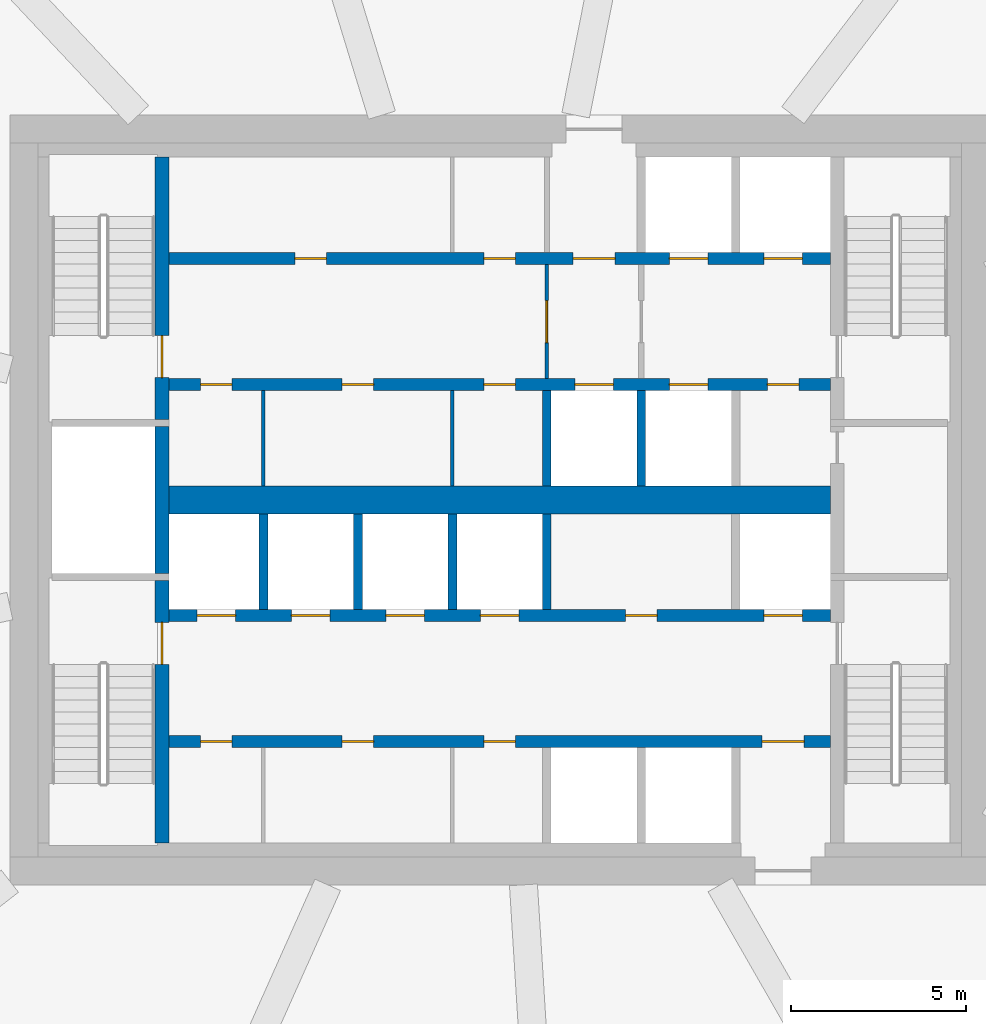
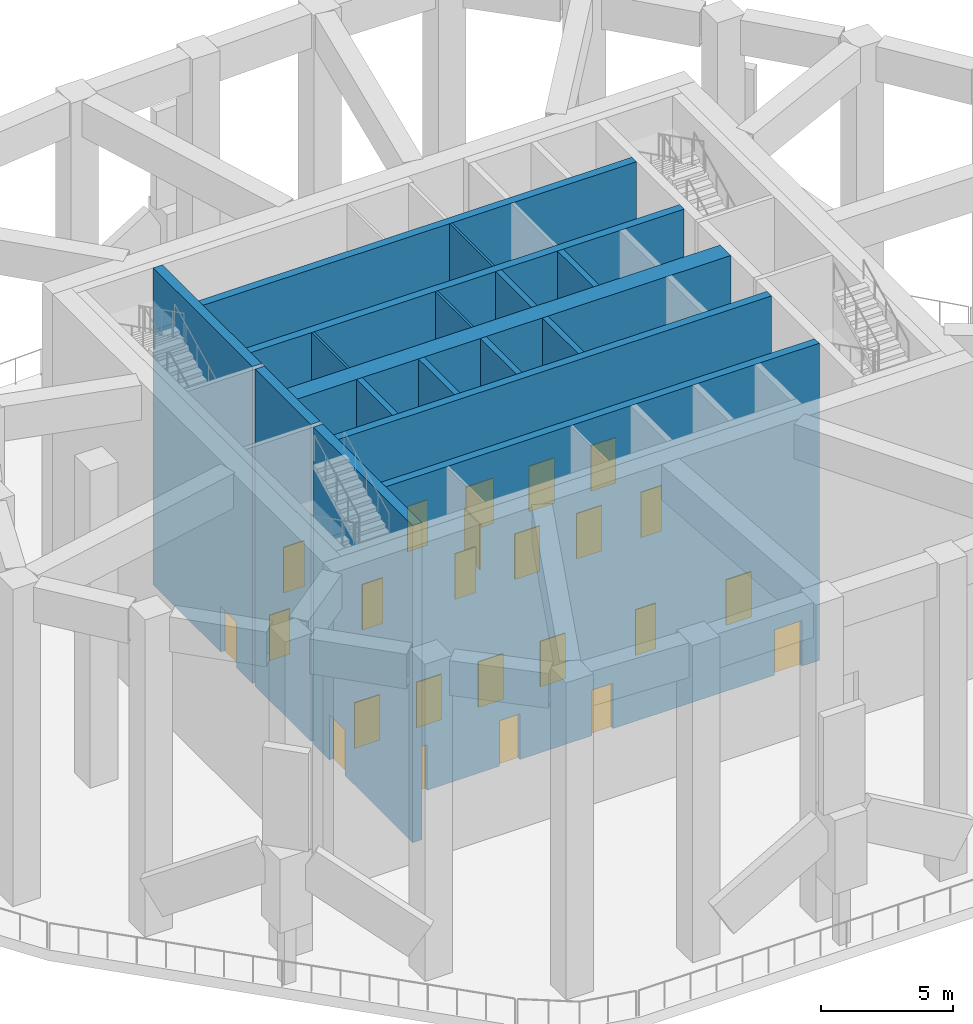
# One storey, part 3 of 12: 24 doors, 17 walls, 24 openings.
"""IFC4 building model written with IfcOpenShell, lengths in metres."""

import ifcopenshell
import ifcopenshell.guid

model = None  # the IFC model being written
_history = None  # IfcOwnerHistory: only IFC2X3 demands one
_inside = {}  # id of a spatial element -> (the spatial element, [elements in it])
_under = {}  # id of a project, library or spatial element -> (it, [spatial elements below it])
_declared = {}  # id of a project -> (the project, [libraries it declares])
_typed = {}  # id of a type object -> (the type object, [elements of that type])
_made_of = {}  # id of a material, layer set ... -> (it, [elements and type objects made of it])


def new_model(schema):
    """Start an empty IFC model of exactly this schema.

    Asked for "IFC4X3", IfcOpenShell would pick the latest addendum, in which some entities
    have other attributes; the version numbers below select the first issue.
    IFC2X3 requires an IfcOwnerHistory on every rooted entity: one is made here for all.
    """
    global model, _history
    if schema == "IFC4X3":
        model = ifcopenshell.file(schema_version=(4, 3, 0, 0))
    else:
        model = ifcopenshell.file(schema=schema)
    _inside.clear()
    _under.clear()
    _declared.clear()
    _typed.clear()
    _made_of.clear()
    _history = None
    if model.schema == "IFC2X3":
        org = make("IfcOrganization", Name="unknown")
        user = make(
            "IfcPersonAndOrganization",
            ThePerson=make("IfcPerson", FamilyName="unknown"),
            TheOrganization=org,
        )
        app = make(
            "IfcApplication",
            ApplicationDeveloper=org,
            Version="unknown",
            ApplicationFullName="unknown",
            ApplicationIdentifier="unknown",
        )
        _history = make(
            "IfcOwnerHistory",
            OwningUser=user,
            OwningApplication=app,
            ChangeAction="ADDED",
            CreationDate=0,
        )
    return model


def make(cls, **values):
    """One entity of the class cls with the attributes given. An attribute that is None is left unset."""
    return model.create_entity(
        cls, **{name: value for name, value in values.items() if value is not None}
    )


def rooted(cls, **values):
    """An entity with a GlobalId (a new one), such as an element, a storey or a relation."""
    return make(cls, GlobalId=ifcopenshell.guid.new(), OwnerHistory=_history, **values)


def si_unit(unit_type, name, prefix=None):
    """IfcSIUnit, for example si_unit("LENGTHUNIT", "METRE", prefix="MILLI")."""
    return make("IfcSIUnit", UnitType=unit_type, Prefix=prefix, Name=name)


def assignment(units):
    """IfcUnitAssignment: the units of a project."""
    return None if units is None else make("IfcUnitAssignment", Units=units)


def point(xyz):
    """IfcCartesianPoint."""
    return None if xyz is None else make("IfcCartesianPoint", Coordinates=xyz)


def direction(xyz):
    """IfcDirection."""
    return None if xyz is None else make("IfcDirection", DirectionRatios=xyz)


def frame(location, z_axis=None, x_axis=None):
    """IfcAxis2Placement3D, a coordinate frame: its origin and axes. An axis left out is left unset."""
    return make(
        "IfcAxis2Placement3D",
        Location=point(location),
        Axis=direction(z_axis),
        RefDirection=direction(x_axis),
    )


def frame_2d(location, x_axis=None):
    """IfcAxis2Placement2D, a coordinate frame in the plane: its origin and x axis."""
    return make(
        "IfcAxis2Placement2D", Location=point(location), RefDirection=direction(x_axis)
    )


def origin():
    """The frame at (0, 0, 0) with its axes left unset."""
    return frame((0.0, 0.0, 0.0))


def place(relative_to, where):
    """IfcLocalPlacement: puts the frame where relative to a parent placement (None: the world)."""
    return make(
        "IfcLocalPlacement", PlacementRelTo=relative_to, RelativePlacement=where
    )


def context(
    kind, dimensions, precision=None, world=None, true_north=None, identifier=None
):
    """IfcGeometricRepresentationContext, for example the 3D "Model" context."""
    return make(
        "IfcGeometricRepresentationContext",
        ContextIdentifier=identifier,
        ContextType=kind,
        CoordinateSpaceDimension=dimensions,
        Precision=precision,
        WorldCoordinateSystem=world,
        TrueNorth=true_north,
    )


def subcontext(parent, identifier, kind, view, scale=None):
    """IfcGeometricRepresentationSubContext, for example "Body" below "Model"."""
    return make(
        "IfcGeometricRepresentationSubContext",
        ContextIdentifier=identifier,
        ContextType=kind,
        ParentContext=parent,
        TargetScale=scale,
        TargetView=view,
    )


def project(units=None, contexts=None):
    """IfcProject with its units and contexts."""
    return rooted(
        "IfcProject",
        Name="project",
        RepresentationContexts=contexts,
        UnitsInContext=assignment(units),
    )


def spatial(cls, under=None, at=None, **own):
    """A site, building, storey or space (cls), placed at a placement, below another one or the project."""
    s = rooted(cls, ObjectPlacement=at, **own)
    if under is not None:
        _under.setdefault(under.id(), (under, []))[1].append(s)
    return s


def profile(cls, at=None, kind="AREA", **sizes):
    """A parametric profile (cls). Its sizes go by their IFC names, for example OverallWidth=200.0."""
    return make(cls, ProfileType=kind, Position=at, **sizes)


def rectangle(**sizes):
    """IfcRectangleProfileDef."""
    return profile("IfcRectangleProfileDef", **sizes)


def extrude(swept, where, along, depth):
    """IfcExtrudedAreaSolid: the profile swept, set in the frame where, extruded along a direction by depth."""
    return make(
        "IfcExtrudedAreaSolid",
        SweptArea=swept,
        Position=where,
        ExtrudedDirection=direction(along),
        Depth=depth,
    )


def shape(context_of_items, identifier, shape_type, items):
    """IfcShapeRepresentation: the items that make up one representation, for example the "Body"."""
    return make(
        "IfcShapeRepresentation",
        ContextOfItems=context_of_items,
        RepresentationIdentifier=identifier,
        RepresentationType=shape_type,
        Items=items,
    )


def material(Name=None, Category=None):
    """IfcMaterial."""
    return make("IfcMaterial", Name=Name, Category=Category)


def layer(
    of_material, thickness, ventilated=None, Name=None, Category=None, Priority=None
):
    """IfcMaterialLayer: one layer of a wall or slab, of a material (None: an air gap)."""
    return make(
        "IfcMaterialLayer",
        Material=of_material,
        LayerThickness=thickness,
        IsVentilated=ventilated,
        Name=Name,
        Category=Category,
        Priority=Priority,
    )


def layer_set(layers, Name=None):
    """IfcMaterialLayerSet."""
    return make("IfcMaterialLayerSet", MaterialLayers=layers, LayerSetName=Name)


def made_of(thing, what):
    """Note that an element or type object is made of a material, layer set ...; save() writes the relation."""
    if what is not None:
        _made_of.setdefault(what.id(), (what, []))[1].append(thing)
    return thing


def type_object(cls, material=None, **own):
    """A type object (cls), such as IfcWallType, which elements share."""
    return made_of(rooted(cls, **own), material)


def element(
    cls,
    number,
    at=None,
    inside=None,
    cuts=None,
    type_object=None,
    material=None,
    context=None,
    identifier="Body",
    shape_type=None,
    held_by="IfcProductDefinitionShape",
    body=None,
    shapes=None,
    **own,
):
    """One element of the class cls, such as IfcWall. Its Tag is "e" and its number.

    at: its placement. inside: the storey or other place that contains it. cuts: it is an
    opening in that element (IfcRelVoidsElement). A single representation is given by context,
    identifier, shape_type and body (its items); several are given by shapes. held_by: the class
    of the entity that holds the representations. save() writes the other relations.
    """
    e = rooted(cls, Tag="e%d" % number, ObjectPlacement=at, **own)
    if body is not None:
        shapes = [shape(context, identifier, shape_type, body)]
    if shapes is not None:
        e.Representation = make(held_by, Representations=shapes)
    if inside is not None:
        _inside.setdefault(inside.id(), (inside, []))[1].append(e)
    if cuts is not None:
        rooted(
            "IfcRelVoidsElement", RelatingBuildingElement=cuts, RelatedOpeningElement=e
        )
    if type_object is not None:
        _typed.setdefault(type_object.id(), (type_object, []))[1].append(e)
    return made_of(e, material)


def fill(opening, filler):
    """IfcRelFillsElement: the door or window that sits in an opening."""
    return rooted(
        "IfcRelFillsElement",
        RelatingOpeningElement=opening,
        RelatedBuildingElement=filler,
    )


def aggregate(whole, parts):
    """IfcRelAggregates: a whole, such as a stair, and the parts it consists of."""
    return rooted("IfcRelAggregates", RelatingObject=whole, RelatedObjects=parts)


def save(model, path):
    """Write the relations noted so far, then the file.

    IfcRelAggregates (storeys below a building ...), IfcRelContainedInSpatialStructure (elements
    in a storey), IfcRelDefinesByType, IfcRelAssociatesMaterial and IfcRelDeclares: one each for
    every whole, place, type object, material and project.
    """
    for whole, parts in _under.values():
        aggregate(whole, parts)
    for where, things in _inside.values():
        rooted(
            "IfcRelContainedInSpatialStructure",
            RelatedElements=things,
            RelatingStructure=where,
        )
    for kind, things in _typed.values():
        rooted("IfcRelDefinesByType", RelatedObjects=things, RelatingType=kind)
    for what, things in _made_of.values():
        rooted("IfcRelAssociatesMaterial", RelatedObjects=things, RelatingMaterial=what)
    for by, libraries in _declared.values():
        rooted("IfcRelDeclares", RelatingContext=by, RelatedDefinitions=libraries)
    model.write(path)


model = new_model("IFC4")

# Units and contexts
model_context = context("Model", 3, precision=1e-05, world=origin(), true_north=direction((0.0, 1.0)))
body_context = subcontext(model_context, "Body", "Model", "MODEL_VIEW")
ifc_project = project(units=[si_unit("LENGTHUNIT", "METRE"), si_unit("AREAUNIT", "SQUARE_METRE"), si_unit("VOLUMEUNIT", "CUBIC_METRE"), si_unit("PLANEANGLEUNIT", "RADIAN"), si_unit("MASSUNIT", "GRAM", prefix="KILO")], contexts=[model_context])

# Site, building, storey
site_placement = place(None, origin())
site = spatial("IfcSite", under=ifc_project, at=site_placement, CompositionType="ELEMENT")
building_placement = place(site_placement, origin())
building = spatial("IfcBuilding", under=site, at=building_placement, Name="Dongbaek Canopy Tower", CompositionType="ELEMENT")
storey_placement = place(building_placement, frame((0.0, 0.0, 183.800048828125)))
storey = spatial("IfcBuildingStorey", under=building, at=storey_placement, Name="L40", CompositionType="ELEMENT", Elevation=183.800048828125)

# Wall
ifc_material_1 = material(Name="Concrete C60/75", Category="concrete")
ifc_layer_1 = layer(ifc_material_1, 0.800048828125)
ifc_layer_set_1 = layer_set([ifc_layer_1], Name="Core central wall 800 Concrete C60/75")
wall_type_1 = type_object("IfcWallType", Name="Core central wall 800 Concrete C60/75", PredefinedType="SHEAR", material=ifc_layer_set_1)
wall_1_placement = place(storey_placement, frame((-9.449951171875, 0.0, 0.0), z_axis=(0.0, 0.0, 1.0), x_axis=(1.0, 0.0, 0.0)))
element("IfcWall", 1, at=wall_1_placement, inside=storey, type_object=wall_type_1, Name="Core wall", PredefinedType="SHEAR", context=body_context, shape_type="SweptSolid", body=[
    extrude(rectangle(XDim=18.89990234375, YDim=0.800048828125, at=frame_2d((9.449951171875, 0.0))), origin(), (0.0, 0.0, 1.0), 14.619873046875),
])

# Wall, openings, doors
ifc_material_2 = material(Name="Concrete C60/75", Category="concrete")
ifc_layer_2 = layer(ifc_material_2, 0.35009765625)
ifc_layer_set_2 = layer_set([ifc_layer_2], Name="Core lobby wall 350 Concrete C60/75")
wall_type_2 = type_object("IfcWallType", Name="Core lobby wall 350 Concrete C60/75", PredefinedType="SHEAR", material=ifc_layer_set_2)
wall_2_placement = place(storey_placement, frame((-9.449951171875, 6.89990234375, 0.0), z_axis=(0.0, 0.0, 1.0), x_axis=(1.0, 0.0, 0.0)))
wall_2 = element("IfcWall", 2, at=wall_2_placement, inside=storey, type_object=wall_type_2, Name="Core wall", PredefinedType="SHEAR", context=body_context, shape_type="SweptSolid", body=[
    extrude(rectangle(XDim=18.89990234375, YDim=0.35009765625, at=frame_2d((9.449951171875, 0.0))), origin(), (0.0, 0.0, 1.0), 14.619873046875),
])
opening_1_placement = place(wall_2_placement, frame((11.550048828125, 0.0, 0.0)))
opening_1 = element("IfcOpeningElement", 3, at=opening_1_placement, cuts=wall_2, Name="Opening L40-D003", PredefinedType="OPENING", context=body_context, shape_type="SweptSolid", body=[
    extrude(rectangle(XDim=1.199951171875, YDim=2.10009765625, at=frame_2d((0.60009765625, 1.050048828125))), frame((0.0, 0.18505859375, 0.0), z_axis=(0.0, -1.0, 0.0), x_axis=(1.0, 0.0, 0.0)), (0.0, 0.0, 1.0), 0.3701171875),
])
opening_2_placement = place(wall_2_placement, frame((14.300048828125, 0.0, 0.0)))
opening_2 = element("IfcOpeningElement", 4, at=opening_2_placement, cuts=wall_2, Name="Opening L40-D004", PredefinedType="OPENING", context=body_context, shape_type="SweptSolid", body=[
    extrude(rectangle(XDim=1.10009765625, YDim=2.10009765625, at=frame_2d((0.550048828125, 1.050048828125))), frame((0.0, 0.18505859375, 0.0), z_axis=(0.0, -1.0, 0.0), x_axis=(1.0, 0.0, 0.0)), (0.0, 0.0, 1.0), 0.3701171875),
])
opening_3_placement = place(wall_2_placement, frame((17.0, 0.0, 0.0)))
opening_3 = element("IfcOpeningElement", 5, at=opening_3_placement, cuts=wall_2, Name="Opening L40-D005", PredefinedType="OPENING", context=body_context, shape_type="SweptSolid", body=[
    extrude(rectangle(XDim=1.10009765625, YDim=2.10009765625, at=frame_2d((0.550048828125, 1.050048828125))), frame((0.0, 0.18505859375, 0.0), z_axis=(0.0, -1.0, 0.0), x_axis=(1.0, 0.0, 0.0)), (0.0, 0.0, 1.0), 0.3701171875),
])
opening_4_placement = place(wall_2_placement, frame((3.60009765625, 0.0, 0.0)))
opening_4 = element("IfcOpeningElement", 6, at=opening_4_placement, cuts=wall_2, Name="Opening L40-D016", PredefinedType="OPENING", context=body_context, shape_type="SweptSolid", body=[
    extrude(rectangle(XDim=0.89990234375, YDim=2.10009765625, at=frame_2d((0.449951171875, 1.050048828125))), frame((0.0, 0.18505859375, 0.0), z_axis=(0.0, -1.0, 0.0), x_axis=(1.0, 0.0, 0.0)), (0.0, 0.0, 1.0), 0.3701171875),
])
opening_5_placement = place(wall_2_placement, frame((9.0, 0.0, 0.0)))
opening_5 = element("IfcOpeningElement", 7, at=opening_5_placement, cuts=wall_2, Name="Opening L40-D017", PredefinedType="OPENING", context=body_context, shape_type="SweptSolid", body=[
    extrude(rectangle(XDim=0.89990234375, YDim=2.10009765625, at=frame_2d((0.449951171875, 1.050048828125))), frame((0.0, 0.18505859375, 0.0), z_axis=(0.0, -1.0, 0.0), x_axis=(1.0, 0.0, 0.0)), (0.0, 0.0, 1.0), 0.3701171875),
])
ifc_material_3 = material(Name="Steel", Category="steel")
door_type_1 = type_object("IfcDoorType", Name="Core room door 900 x 2100", OperationType="SINGLE_SWING_LEFT", PredefinedType="DOOR", material=ifc_material_3)
door_1_placement = place(opening_4_placement, origin())
door_1 = element("IfcDoor", 8, at=door_1_placement, inside=storey, type_object=door_type_1, Name="Door L40-D016", OperationType="SINGLE_SWING_RIGHT", OverallHeight=2.10009765625, OverallWidth=0.89990234375, PredefinedType="DOOR", context=body_context, shape_type="SweptSolid", body=[
    extrude(rectangle(XDim=0.89990234375, YDim=2.10009765625, at=frame_2d((0.449951171875, 1.050048828125))), frame((0.0, 0.02490234375, 0.0), z_axis=(0.0, -1.0, 0.0), x_axis=(1.0, 0.0, 0.0)), (0.0, 0.0, 1.0), 0.050048828125),
])
fill(opening_4, door_1)
door_2_placement = place(opening_5_placement, origin())
door_2 = element("IfcDoor", 9, at=door_2_placement, inside=storey, type_object=door_type_1, Name="Door L40-D017", OperationType="SINGLE_SWING_LEFT", OverallHeight=2.10009765625, OverallWidth=0.89990234375, PredefinedType="DOOR", context=body_context, shape_type="SweptSolid", body=[
    extrude(rectangle(XDim=0.89990234375, YDim=2.10009765625, at=frame_2d((0.449951171875, 1.050048828125))), frame((0.0, 0.02490234375, 0.0), z_axis=(0.0, -1.0, 0.0), x_axis=(1.0, 0.0, 0.0)), (0.0, 0.0, 1.0), 0.050048828125),
])
fill(opening_5, door_2)
ifc_material_4 = material(Name="Steel", Category="steel")
door_type_2 = type_object("IfcDoorType", Name="Fire lobby door 1200 x 2100", OperationType="SINGLE_SWING_LEFT", PredefinedType="DOOR", material=ifc_material_4)
door_3_placement = place(opening_1_placement, origin())
door_3 = element("IfcDoor", 10, at=door_3_placement, inside=storey, type_object=door_type_2, Name="Door L40-D003", OperationType="SINGLE_SWING_LEFT", OverallHeight=2.10009765625, OverallWidth=1.199951171875, PredefinedType="DOOR", context=body_context, shape_type="SweptSolid", body=[
    extrude(rectangle(XDim=1.199951171875, YDim=2.10009765625, at=frame_2d((0.60009765625, 1.050048828125))), frame((0.0, 0.02490234375, 0.0), z_axis=(0.0, -1.0, 0.0), x_axis=(1.0, 0.0, 0.0)), (0.0, 0.0, 1.0), 0.050048828125),
])
fill(opening_1, door_3)
ifc_material_5 = material(Name="Stainless steel", Category="steel")
door_type_3 = type_object("IfcDoorType", Name="Lift landing door 1100 x 2100", OperationType="DOUBLE_DOOR_SLIDING", PredefinedType="DOOR", material=ifc_material_5)
door_4_placement = place(opening_2_placement, origin())
door_4 = element("IfcDoor", 11, at=door_4_placement, inside=storey, type_object=door_type_3, Name="Landing door FF1", OperationType="DOUBLE_DOOR_SLIDING", OverallHeight=2.10009765625, OverallWidth=1.10009765625, PredefinedType="DOOR", context=body_context, shape_type="SweptSolid", body=[
    extrude(rectangle(XDim=1.10009765625, YDim=2.10009765625, at=frame_2d((0.550048828125, 1.050048828125))), frame((0.0, 0.02490234375, 0.0), z_axis=(0.0, -1.0, 0.0), x_axis=(1.0, 0.0, 0.0)), (0.0, 0.0, 1.0), 0.050048828125),
])
fill(opening_2, door_4)
door_5_placement = place(opening_3_placement, origin())
door_5 = element("IfcDoor", 12, at=door_5_placement, inside=storey, type_object=door_type_3, Name="Landing door FF2", OperationType="DOUBLE_DOOR_SLIDING", OverallHeight=2.10009765625, OverallWidth=1.10009765625, PredefinedType="DOOR", context=body_context, shape_type="SweptSolid", body=[
    extrude(rectangle(XDim=1.10009765625, YDim=2.10009765625, at=frame_2d((0.550048828125, 1.050048828125))), frame((0.0, 0.02490234375, 0.0), z_axis=(0.0, -1.0, 0.0), x_axis=(1.0, 0.0, 0.0)), (0.0, 0.0, 1.0), 0.050048828125),
])
fill(opening_3, door_5)

wall_3_placement = place(storey_placement, frame((9.449951171875, 3.300048828125, 0.0), z_axis=(0.0, 0.0, 1.0), x_axis=(-1.0, 0.0, 0.0)))
wall_3 = element("IfcWall", 13, at=wall_3_placement, inside=storey, type_object=wall_type_2, Name="Core wall", PredefinedType="SHEAR", context=body_context, shape_type="SweptSolid", body=[
    extrude(rectangle(XDim=18.89990234375, YDim=0.35009765625, at=frame_2d((9.449951171875, 0.0))), origin(), (0.0, 0.0, 1.0), 14.619873046875),
])
opening_6_placement = place(wall_3_placement, frame((6.199951171875, 0.0, 0.0)))
opening_6 = element("IfcOpeningElement", 14, at=opening_6_placement, cuts=wall_3, Name="Opening L40-D006", PredefinedType="OPENING", context=body_context, shape_type="SweptSolid", body=[
    extrude(rectangle(XDim=1.10009765625, YDim=2.10009765625, at=frame_2d((0.550048828125, 1.050048828125))), frame((0.0, 0.18505859375, 0.0), z_axis=(0.0, -1.0, 0.0), x_axis=(1.0, 0.0, 0.0)), (0.0, 0.0, 1.0), 0.3701171875),
])
opening_7_placement = place(wall_3_placement, frame((3.5, 0.0, 0.0)))
opening_7 = element("IfcOpeningElement", 15, at=opening_7_placement, cuts=wall_3, Name="Opening L40-D007", PredefinedType="OPENING", context=body_context, shape_type="SweptSolid", body=[
    extrude(rectangle(XDim=1.10009765625, YDim=2.10009765625, at=frame_2d((0.550048828125, 1.050048828125))), frame((0.0, 0.18505859375, 0.0), z_axis=(0.0, -1.0, 0.0), x_axis=(1.0, 0.0, 0.0)), (0.0, 0.0, 1.0), 0.3701171875),
])
opening_8_placement = place(wall_3_placement, frame((0.89990234375, 0.0, 0.0)))
opening_8 = element("IfcOpeningElement", 16, at=opening_8_placement, cuts=wall_3, Name="Opening L40-D008", PredefinedType="OPENING", context=body_context, shape_type="SweptSolid", body=[
    extrude(rectangle(XDim=0.89990234375, YDim=2.10009765625, at=frame_2d((0.449951171875, 1.050048828125))), frame((0.0, 0.18505859375, 0.0), z_axis=(0.0, -1.0, 0.0), x_axis=(1.0, 0.0, 0.0)), (0.0, 0.0, 1.0), 0.3701171875),
])
opening_9_placement = place(wall_3_placement, frame((17.10009765625, 0.0, 0.0)))
opening_9 = element("IfcOpeningElement", 17, at=opening_9_placement, cuts=wall_3, Name="Opening L40-D018", PredefinedType="OPENING", context=body_context, shape_type="SweptSolid", body=[
    extrude(rectangle(XDim=0.89990234375, YDim=2.10009765625, at=frame_2d((0.449951171875, 1.050048828125))), frame((0.0, 0.18505859375, 0.0), z_axis=(0.0, -1.0, 0.0), x_axis=(1.0, 0.0, 0.0)), (0.0, 0.0, 1.0), 0.3701171875),
])
opening_10_placement = place(wall_3_placement, frame((13.050048828125, 0.0, 0.0)))
opening_10 = element("IfcOpeningElement", 18, at=opening_10_placement, cuts=wall_3, Name="Opening L40-D019", PredefinedType="OPENING", context=body_context, shape_type="SweptSolid", body=[
    extrude(rectangle(XDim=0.89990234375, YDim=2.10009765625, at=frame_2d((0.449951171875, 1.050048828125))), frame((0.0, 0.18505859375, 0.0), z_axis=(0.0, -1.0, 0.0), x_axis=(1.0, 0.0, 0.0)), (0.0, 0.0, 1.0), 0.3701171875),
])
opening_11_placement = place(wall_3_placement, frame((9.0, 0.0, 0.0)))
opening_11 = element("IfcOpeningElement", 19, at=opening_11_placement, cuts=wall_3, Name="Opening L40-D020", PredefinedType="OPENING", context=body_context, shape_type="SweptSolid", body=[
    extrude(rectangle(XDim=0.89990234375, YDim=2.10009765625, at=frame_2d((0.449951171875, 1.050048828125))), frame((0.0, 0.18505859375, 0.0), z_axis=(0.0, -1.0, 0.0), x_axis=(1.0, 0.0, 0.0)), (0.0, 0.0, 1.0), 0.3701171875),
])
door_6_placement = place(opening_8_placement, origin())
door_6 = element("IfcDoor", 20, at=door_6_placement, inside=storey, type_object=door_type_1, Name="Door L40-D008", OperationType="SINGLE_SWING_LEFT", OverallHeight=2.10009765625, OverallWidth=0.89990234375, PredefinedType="DOOR", context=body_context, shape_type="SweptSolid", body=[
    extrude(rectangle(XDim=0.89990234375, YDim=2.10009765625, at=frame_2d((0.449951171875, 1.050048828125))), frame((0.0, 0.02490234375, 0.0), z_axis=(0.0, -1.0, 0.0), x_axis=(1.0, 0.0, 0.0)), (0.0, 0.0, 1.0), 0.050048828125),
])
fill(opening_8, door_6)
door_7_placement = place(opening_9_placement, origin())
door_7 = element("IfcDoor", 21, at=door_7_placement, inside=storey, type_object=door_type_1, Name="Door L40-D018", OperationType="SINGLE_SWING_RIGHT", OverallHeight=2.10009765625, OverallWidth=0.89990234375, PredefinedType="DOOR", context=body_context, shape_type="SweptSolid", body=[
    extrude(rectangle(XDim=0.89990234375, YDim=2.10009765625, at=frame_2d((0.449951171875, 1.050048828125))), frame((0.0, 0.02490234375, 0.0), z_axis=(0.0, -1.0, 0.0), x_axis=(1.0, 0.0, 0.0)), (0.0, 0.0, 1.0), 0.050048828125),
])
fill(opening_9, door_7)
door_8_placement = place(opening_10_placement, origin())
door_8 = element("IfcDoor", 22, at=door_8_placement, inside=storey, type_object=door_type_1, Name="Door L40-D019", OperationType="SINGLE_SWING_LEFT", OverallHeight=2.10009765625, OverallWidth=0.89990234375, PredefinedType="DOOR", context=body_context, shape_type="SweptSolid", body=[
    extrude(rectangle(XDim=0.89990234375, YDim=2.10009765625, at=frame_2d((0.449951171875, 1.050048828125))), frame((0.0, 0.02490234375, 0.0), z_axis=(0.0, -1.0, 0.0), x_axis=(1.0, 0.0, 0.0)), (0.0, 0.0, 1.0), 0.050048828125),
])
fill(opening_10, door_8)
door_9_placement = place(opening_11_placement, origin())
door_9 = element("IfcDoor", 23, at=door_9_placement, inside=storey, type_object=door_type_1, Name="Door L40-D020", OperationType="SINGLE_SWING_RIGHT", OverallHeight=2.10009765625, OverallWidth=0.89990234375, PredefinedType="DOOR", context=body_context, shape_type="SweptSolid", body=[
    extrude(rectangle(XDim=0.89990234375, YDim=2.10009765625, at=frame_2d((0.449951171875, 1.050048828125))), frame((0.0, 0.02490234375, 0.0), z_axis=(0.0, -1.0, 0.0), x_axis=(1.0, 0.0, 0.0)), (0.0, 0.0, 1.0), 0.050048828125),
])
fill(opening_11, door_9)
door_10_placement = place(opening_6_placement, origin())
door_10 = element("IfcDoor", 24, at=door_10_placement, inside=storey, type_object=door_type_3, Name="Landing door SV1", OperationType="DOUBLE_DOOR_SLIDING", OverallHeight=2.10009765625, OverallWidth=1.10009765625, PredefinedType="DOOR", context=body_context, shape_type="SweptSolid", body=[
    extrude(rectangle(XDim=1.10009765625, YDim=2.10009765625, at=frame_2d((0.550048828125, 1.050048828125))), frame((0.0, 0.02490234375, 0.0), z_axis=(0.0, -1.0, 0.0), x_axis=(1.0, 0.0, 0.0)), (0.0, 0.0, 1.0), 0.050048828125),
])
fill(opening_6, door_10)
door_11_placement = place(opening_7_placement, origin())
door_11 = element("IfcDoor", 25, at=door_11_placement, inside=storey, type_object=door_type_3, Name="Landing door FF3", OperationType="DOUBLE_DOOR_SLIDING", OverallHeight=2.10009765625, OverallWidth=1.10009765625, PredefinedType="DOOR", context=body_context, shape_type="SweptSolid", body=[
    extrude(rectangle(XDim=1.10009765625, YDim=2.10009765625, at=frame_2d((0.550048828125, 1.050048828125))), frame((0.0, 0.02490234375, 0.0), z_axis=(0.0, -1.0, 0.0), x_axis=(1.0, 0.0, 0.0)), (0.0, 0.0, 1.0), 0.050048828125),
])
fill(opening_7, door_11)

wall_4_placement = place(storey_placement, frame((-9.449951171875, -3.300048828125, 0.0), z_axis=(0.0, 0.0, 1.0), x_axis=(1.0, 0.0, 0.0)))
wall_4 = element("IfcWall", 26, at=wall_4_placement, inside=storey, type_object=wall_type_2, Name="Core wall", PredefinedType="SHEAR", context=body_context, shape_type="SweptSolid", body=[
    extrude(rectangle(XDim=18.89990234375, YDim=0.35009765625, at=frame_2d((9.449951171875, 0.0))), origin(), (0.0, 0.0, 1.0), 14.619873046875),
])
opening_12_placement = place(wall_4_placement, frame((0.800048828125, 0.0, 0.0)))
opening_12 = element("IfcOpeningElement", 27, at=opening_12_placement, cuts=wall_4, Name="Opening L40-D009", PredefinedType="OPENING", context=body_context, shape_type="SweptSolid", body=[
    extrude(rectangle(XDim=1.10009765625, YDim=2.10009765625, at=frame_2d((0.550048828125, 1.050048828125))), frame((0.0, 0.18505859375, 0.0), z_axis=(0.0, -1.0, 0.0), x_axis=(1.0, 0.0, 0.0)), (0.0, 0.0, 1.0), 0.3701171875),
])
opening_13_placement = place(wall_4_placement, frame((3.5, 0.0, 0.0)))
opening_13 = element("IfcOpeningElement", 28, at=opening_13_placement, cuts=wall_4, Name="Opening L40-D010", PredefinedType="OPENING", context=body_context, shape_type="SweptSolid", body=[
    extrude(rectangle(XDim=1.10009765625, YDim=2.10009765625, at=frame_2d((0.550048828125, 1.050048828125))), frame((0.0, 0.18505859375, 0.0), z_axis=(0.0, -1.0, 0.0), x_axis=(1.0, 0.0, 0.0)), (0.0, 0.0, 1.0), 0.3701171875),
])
opening_14_placement = place(wall_4_placement, frame((6.199951171875, 0.0, 0.0)))
opening_14 = element("IfcOpeningElement", 29, at=opening_14_placement, cuts=wall_4, Name="Opening L40-D011", PredefinedType="OPENING", context=body_context, shape_type="SweptSolid", body=[
    extrude(rectangle(XDim=1.10009765625, YDim=2.10009765625, at=frame_2d((0.550048828125, 1.050048828125))), frame((0.0, 0.18505859375, 0.0), z_axis=(0.0, -1.0, 0.0), x_axis=(1.0, 0.0, 0.0)), (0.0, 0.0, 1.0), 0.3701171875),
])
opening_15_placement = place(wall_4_placement, frame((8.89990234375, 0.0, 0.0)))
opening_15 = element("IfcOpeningElement", 30, at=opening_15_placement, cuts=wall_4, Name="Opening L40-D012", PredefinedType="OPENING", context=body_context, shape_type="SweptSolid", body=[
    extrude(rectangle(XDim=1.10009765625, YDim=2.10009765625, at=frame_2d((0.550048828125, 1.050048828125))), frame((0.0, 0.18505859375, 0.0), z_axis=(0.0, -1.0, 0.0), x_axis=(1.0, 0.0, 0.0)), (0.0, 0.0, 1.0), 0.3701171875),
])
opening_16_placement = place(wall_4_placement, frame((17.0, 0.0, 0.0)))
opening_16 = element("IfcOpeningElement", 31, at=opening_16_placement, cuts=wall_4, Name="Opening L40-D013", PredefinedType="OPENING", context=body_context, shape_type="SweptSolid", body=[
    extrude(rectangle(XDim=1.10009765625, YDim=2.10009765625, at=frame_2d((0.550048828125, 1.050048828125))), frame((0.0, 0.18505859375, 0.0), z_axis=(0.0, -1.0, 0.0), x_axis=(1.0, 0.0, 0.0)), (0.0, 0.0, 1.0), 0.3701171875),
])
opening_17_placement = place(wall_4_placement, frame((13.050048828125, 0.0, 0.0)))
opening_17 = element("IfcOpeningElement", 32, at=opening_17_placement, cuts=wall_4, Name="Opening L40-D021", PredefinedType="OPENING", context=body_context, shape_type="SweptSolid", body=[
    extrude(rectangle(XDim=0.89990234375, YDim=2.10009765625, at=frame_2d((0.449951171875, 1.050048828125))), frame((0.0, 0.18505859375, 0.0), z_axis=(0.0, -1.0, 0.0), x_axis=(1.0, 0.0, 0.0)), (0.0, 0.0, 1.0), 0.3701171875),
])
door_12_placement = place(opening_17_placement, origin())
door_12 = element("IfcDoor", 33, at=door_12_placement, inside=storey, type_object=door_type_1, Name="Door L40-D021", OperationType="SINGLE_SWING_LEFT", OverallHeight=2.10009765625, OverallWidth=0.89990234375, PredefinedType="DOOR", context=body_context, shape_type="SweptSolid", body=[
    extrude(rectangle(XDim=0.89990234375, YDim=2.10009765625, at=frame_2d((0.449951171875, 1.050048828125))), frame((0.0, 0.02490234375, 0.0), z_axis=(0.0, -1.0, 0.0), x_axis=(1.0, 0.0, 0.0)), (0.0, 0.0, 1.0), 0.050048828125),
])
fill(opening_17, door_12)
door_13_placement = place(opening_12_placement, origin())
door_13 = element("IfcDoor", 34, at=door_13_placement, inside=storey, type_object=door_type_3, Name="Landing door MR1", OperationType="DOUBLE_DOOR_SLIDING", OverallHeight=2.10009765625, OverallWidth=1.10009765625, PredefinedType="DOOR", context=body_context, shape_type="SweptSolid", body=[
    extrude(rectangle(XDim=1.10009765625, YDim=2.10009765625, at=frame_2d((0.550048828125, 1.050048828125))), frame((0.0, 0.02490234375, 0.0), z_axis=(0.0, -1.0, 0.0), x_axis=(1.0, 0.0, 0.0)), (0.0, 0.0, 1.0), 0.050048828125),
])
fill(opening_12, door_13)
door_14_placement = place(opening_13_placement, origin())
door_14 = element("IfcDoor", 35, at=door_14_placement, inside=storey, type_object=door_type_3, Name="Landing door MR2", OperationType="DOUBLE_DOOR_SLIDING", OverallHeight=2.10009765625, OverallWidth=1.10009765625, PredefinedType="DOOR", context=body_context, shape_type="SweptSolid", body=[
    extrude(rectangle(XDim=1.10009765625, YDim=2.10009765625, at=frame_2d((0.550048828125, 1.050048828125))), frame((0.0, 0.02490234375, 0.0), z_axis=(0.0, -1.0, 0.0), x_axis=(1.0, 0.0, 0.0)), (0.0, 0.0, 1.0), 0.050048828125),
])
fill(opening_13, door_14)
door_15_placement = place(opening_14_placement, origin())
door_15 = element("IfcDoor", 36, at=door_15_placement, inside=storey, type_object=door_type_3, Name="Landing door MR3", OperationType="DOUBLE_DOOR_SLIDING", OverallHeight=2.10009765625, OverallWidth=1.10009765625, PredefinedType="DOOR", context=body_context, shape_type="SweptSolid", body=[
    extrude(rectangle(XDim=1.10009765625, YDim=2.10009765625, at=frame_2d((0.550048828125, 1.050048828125))), frame((0.0, 0.02490234375, 0.0), z_axis=(0.0, -1.0, 0.0), x_axis=(1.0, 0.0, 0.0)), (0.0, 0.0, 1.0), 0.050048828125),
])
fill(opening_14, door_15)
door_16_placement = place(opening_15_placement, origin())
door_16 = element("IfcDoor", 37, at=door_16_placement, inside=storey, type_object=door_type_3, Name="Landing door MR4", OperationType="DOUBLE_DOOR_SLIDING", OverallHeight=2.10009765625, OverallWidth=1.10009765625, PredefinedType="DOOR", context=body_context, shape_type="SweptSolid", body=[
    extrude(rectangle(XDim=1.10009765625, YDim=2.10009765625, at=frame_2d((0.550048828125, 1.050048828125))), frame((0.0, 0.02490234375, 0.0), z_axis=(0.0, -1.0, 0.0), x_axis=(1.0, 0.0, 0.0)), (0.0, 0.0, 1.0), 0.050048828125),
])
fill(opening_15, door_16)
door_17_placement = place(opening_16_placement, origin())
door_17 = element("IfcDoor", 38, at=door_17_placement, inside=storey, type_object=door_type_3, Name="Landing door SV2", OperationType="DOUBLE_DOOR_SLIDING", OverallHeight=2.10009765625, OverallWidth=1.10009765625, PredefinedType="DOOR", context=body_context, shape_type="SweptSolid", body=[
    extrude(rectangle(XDim=1.10009765625, YDim=2.10009765625, at=frame_2d((0.550048828125, 1.050048828125))), frame((0.0, 0.02490234375, 0.0), z_axis=(0.0, -1.0, 0.0), x_axis=(1.0, 0.0, 0.0)), (0.0, 0.0, 1.0), 0.050048828125),
])
fill(opening_16, door_17)

wall_5_placement = place(storey_placement, frame((9.449951171875, -6.89990234375, 0.0), z_axis=(0.0, 0.0, 1.0), x_axis=(-1.0, 0.0, 0.0)))
wall_5 = element("IfcWall", 39, at=wall_5_placement, inside=storey, type_object=wall_type_2, Name="Core wall", PredefinedType="SHEAR", context=body_context, shape_type="SweptSolid", body=[
    extrude(rectangle(XDim=18.89990234375, YDim=0.35009765625, at=frame_2d((9.449951171875, 0.0))), origin(), (0.0, 0.0, 1.0), 14.619873046875),
])
opening_18_placement = place(wall_5_placement, frame((0.75, 0.0, 0.0)))
opening_18 = element("IfcOpeningElement", 40, at=opening_18_placement, cuts=wall_5, Name="Opening L40-D015", PredefinedType="OPENING", context=body_context, shape_type="SweptSolid", body=[
    extrude(rectangle(XDim=1.199951171875, YDim=2.10009765625, at=frame_2d((0.60009765625, 1.050048828125))), frame((0.0, 0.18505859375, 0.0), z_axis=(0.0, -1.0, 0.0), x_axis=(1.0, 0.0, 0.0)), (0.0, 0.0, 1.0), 0.3701171875),
])
opening_19_placement = place(wall_5_placement, frame((17.10009765625, 0.0, 0.0)))
opening_19 = element("IfcOpeningElement", 41, at=opening_19_placement, cuts=wall_5, Name="Opening L40-D022", PredefinedType="OPENING", context=body_context, shape_type="SweptSolid", body=[
    extrude(rectangle(XDim=0.89990234375, YDim=2.10009765625, at=frame_2d((0.449951171875, 1.050048828125))), frame((0.0, 0.18505859375, 0.0), z_axis=(0.0, -1.0, 0.0), x_axis=(1.0, 0.0, 0.0)), (0.0, 0.0, 1.0), 0.3701171875),
])
opening_20_placement = place(wall_5_placement, frame((13.050048828125, 0.0, 0.0)))
opening_20 = element("IfcOpeningElement", 42, at=opening_20_placement, cuts=wall_5, Name="Opening L40-D023", PredefinedType="OPENING", context=body_context, shape_type="SweptSolid", body=[
    extrude(rectangle(XDim=0.89990234375, YDim=2.10009765625, at=frame_2d((0.449951171875, 1.050048828125))), frame((0.0, 0.18505859375, 0.0), z_axis=(0.0, -1.0, 0.0), x_axis=(1.0, 0.0, 0.0)), (0.0, 0.0, 1.0), 0.3701171875),
])
opening_21_placement = place(wall_5_placement, frame((9.0, 0.0, 0.0)))
opening_21 = element("IfcOpeningElement", 43, at=opening_21_placement, cuts=wall_5, Name="Opening L40-D024", PredefinedType="OPENING", context=body_context, shape_type="SweptSolid", body=[
    extrude(rectangle(XDim=0.89990234375, YDim=2.10009765625, at=frame_2d((0.449951171875, 1.050048828125))), frame((0.0, 0.18505859375, 0.0), z_axis=(0.0, -1.0, 0.0), x_axis=(1.0, 0.0, 0.0)), (0.0, 0.0, 1.0), 0.3701171875),
])
door_18_placement = place(opening_19_placement, origin())
door_18 = element("IfcDoor", 44, at=door_18_placement, inside=storey, type_object=door_type_1, Name="Door L40-D022", OperationType="SINGLE_SWING_RIGHT", OverallHeight=2.10009765625, OverallWidth=0.89990234375, PredefinedType="DOOR", context=body_context, shape_type="SweptSolid", body=[
    extrude(rectangle(XDim=0.89990234375, YDim=2.10009765625, at=frame_2d((0.449951171875, 1.050048828125))), frame((0.0, 0.02490234375, 0.0), z_axis=(0.0, -1.0, 0.0), x_axis=(1.0, 0.0, 0.0)), (0.0, 0.0, 1.0), 0.050048828125),
])
fill(opening_19, door_18)
door_19_placement = place(opening_20_placement, origin())
door_19 = element("IfcDoor", 45, at=door_19_placement, inside=storey, type_object=door_type_1, Name="Door L40-D023", OperationType="SINGLE_SWING_LEFT", OverallHeight=2.10009765625, OverallWidth=0.89990234375, PredefinedType="DOOR", context=body_context, shape_type="SweptSolid", body=[
    extrude(rectangle(XDim=0.89990234375, YDim=2.10009765625, at=frame_2d((0.449951171875, 1.050048828125))), frame((0.0, 0.02490234375, 0.0), z_axis=(0.0, -1.0, 0.0), x_axis=(1.0, 0.0, 0.0)), (0.0, 0.0, 1.0), 0.050048828125),
])
fill(opening_20, door_19)
door_20_placement = place(opening_21_placement, origin())
door_20 = element("IfcDoor", 46, at=door_20_placement, inside=storey, type_object=door_type_1, Name="Door L40-D024", OperationType="SINGLE_SWING_RIGHT", OverallHeight=2.10009765625, OverallWidth=0.89990234375, PredefinedType="DOOR", context=body_context, shape_type="SweptSolid", body=[
    extrude(rectangle(XDim=0.89990234375, YDim=2.10009765625, at=frame_2d((0.449951171875, 1.050048828125))), frame((0.0, 0.02490234375, 0.0), z_axis=(0.0, -1.0, 0.0), x_axis=(1.0, 0.0, 0.0)), (0.0, 0.0, 1.0), 0.050048828125),
])
fill(opening_21, door_20)
door_21_placement = place(opening_18_placement, origin())
door_21 = element("IfcDoor", 47, at=door_21_placement, inside=storey, type_object=door_type_2, Name="Door L40-D015", OperationType="SINGLE_SWING_LEFT", OverallHeight=2.10009765625, OverallWidth=1.199951171875, PredefinedType="DOOR", context=body_context, shape_type="SweptSolid", body=[
    extrude(rectangle(XDim=1.199951171875, YDim=2.10009765625, at=frame_2d((0.60009765625, 1.050048828125))), frame((0.0, 0.02490234375, 0.0), z_axis=(0.0, -1.0, 0.0), x_axis=(1.0, 0.0, 0.0)), (0.0, 0.0, 1.0), 0.050048828125),
])
fill(opening_18, door_21)

# Walls
ifc_material_6 = material(Name="Concrete C40/50", Category="concrete")
ifc_layer_3 = layer(ifc_material_6, 0.25)
ifc_layer_set_3 = layer_set([ifc_layer_3], Name="Lift shaft wall 250 Concrete C40/50")
wall_type_3 = type_object("IfcWallType", Name="Lift shaft wall 250 Concrete C40/50", PredefinedType="SOLIDWALL", material=ifc_layer_set_3)
for number, where, z_axis, x_axis, name in (
    (48, (4.050048828125, 0.39990234375, 0.0), (0.0, 0.0, 1.0), (0.0, 1.0, 0.0), "Lift shaft wall"),
    (49, (1.35009765625, -3.125, 0.0), (0.0, 0.0, 1.0), (0.0, 1.0, 0.0), "Lift shaft wall"),
    (50, (1.35009765625, 0.39990234375, 0.0), (0.0, 0.0, 1.0), (0.0, 1.0, 0.0), "Lift shaft wall"),
    (51, (-1.35009765625, -3.125, 0.0), (0.0, 0.0, 1.0), (0.0, 1.0, 0.0), "Lift shaft wall"),
    (52, (-4.050048828125, -3.125, 0.0), (0.0, 0.0, 1.0), (0.0, 1.0, 0.0), "Lift shaft wall"),
    (53, (-6.75, -3.125, 0.0), (0.0, 0.0, 1.0), (0.0, 1.0, 0.0), "Lift shaft wall"),
):
    element("IfcWall", number, at=place(storey_placement, frame(where, z_axis=z_axis, x_axis=x_axis)), inside=storey, type_object=wall_type_3, Name=name, PredefinedType="SOLIDWALL", context=body_context, shape_type="SweptSolid", body=[
        extrude(rectangle(XDim=2.72509765625, YDim=0.25, at=frame_2d((1.362548828125, 0.0))), origin(), (0.0, 0.0, 1.0), 14.619873046875),
    ])

# Wall, opening, door
ifc_material_7 = material(Name="Gypsum board partition, steel stud, 2 x 12.5 mm board", Category="steel")
ifc_layer_4 = layer(ifc_material_7, 0.10009765625)
ifc_layer_set_4 = layer_set([ifc_layer_4], Name="Partition 100 gypsum board")
wall_type_4 = type_object("IfcWallType", Name="Partition 100 gypsum board", PredefinedType="PARTITIONING", material=ifc_layer_set_4)
wall_6_placement = place(storey_placement, frame((1.35009765625, 6.72509765625, 0.0), z_axis=(0.0, 0.0, 1.0), x_axis=(0.0, -1.0, 0.0)))
wall_6 = element("IfcWall", 54, at=wall_6_placement, inside=storey, type_object=wall_type_4, Name="Core partition", PredefinedType="PARTITIONING", context=body_context, shape_type="SweptSolid", body=[
    extrude(rectangle(XDim=3.25, YDim=0.10009765625, at=frame_2d((1.625, 0.0))), origin(), (0.0, 0.0, 1.0), 14.619873046875),
])
opening_22_placement = place(wall_6_placement, frame((1.02490234375, 0.0, 0.0)))
opening_22 = element("IfcOpeningElement", 55, at=opening_22_placement, cuts=wall_6, Name="Opening L40-D029", PredefinedType="OPENING", context=body_context, shape_type="SweptSolid", body=[
    extrude(rectangle(XDim=1.199951171875, YDim=2.10009765625, at=frame_2d((0.60009765625, 1.050048828125))), frame((0.0, 0.06005859375, 0.0), z_axis=(0.0, -1.0, 0.0), x_axis=(1.0, 0.0, 0.0)), (0.0, 0.0, 1.0), 0.1201171875),
])
door_22_placement = place(opening_22_placement, origin())
door_22 = element("IfcDoor", 56, at=door_22_placement, inside=storey, type_object=door_type_2, Name="Door L40-D029", OperationType="SINGLE_SWING_LEFT", OverallHeight=2.10009765625, OverallWidth=1.199951171875, PredefinedType="DOOR", context=body_context, shape_type="SweptSolid", body=[
    extrude(rectangle(XDim=1.199951171875, YDim=2.10009765625, at=frame_2d((0.60009765625, 1.050048828125))), frame((0.0, 0.02490234375, 0.0), z_axis=(0.0, -1.0, 0.0), x_axis=(1.0, 0.0, 0.0)), (0.0, 0.0, 1.0), 0.050048828125),
])
fill(opening_22, door_22)

# Walls
for number, where, z_axis, x_axis, name in (
    (57, (-1.35009765625, 0.39990234375, 0.0), (0.0, 0.0, 1.0), (0.0, 1.0, 0.0), "Core partition"),
    (58, (-6.75, 0.39990234375, 0.0), (0.0, 0.0, 1.0), (0.0, 1.0, 0.0), "Core partition"),
):
    element("IfcWall", number, at=place(storey_placement, frame(where, z_axis=z_axis, x_axis=x_axis)), inside=storey, type_object=wall_type_4, Name=name, PredefinedType="PARTITIONING", context=body_context, shape_type="SweptSolid", body=[
        extrude(rectangle(XDim=2.72509765625, YDim=0.10009765625, at=frame_2d((1.362548828125, 0.0))), origin(), (0.0, 0.0, 1.0), 14.619873046875),
    ])

# Wall, opening, door
ifc_material_8 = material(Name="Concrete C60/75", Category="concrete")
ifc_layer_5 = layer(ifc_material_8, 0.39990234375)
ifc_layer_set_5 = layer_set([ifc_layer_5], Name="Stair wall 400 Concrete C60/75")
wall_type_5 = type_object("IfcWallType", Name="Stair wall 400 Concrete C60/75", PredefinedType="SHEAR", material=ifc_layer_set_5)
wall_7_placement = place(storey_placement, frame((-9.64990234375, -9.800048828125, 0.0), z_axis=(0.0, 0.0, 1.0), x_axis=(0.0, 1.0, 0.0)))
wall_7 = element("IfcWall", 59, at=wall_7_placement, inside=storey, type_object=wall_type_5, Name="Stair wall", PredefinedType="SHEAR", context=body_context, shape_type="SweptSolid", body=[
    extrude(rectangle(XDim=7.5, YDim=0.39990234375, at=frame_2d((3.75, 0.0))), origin(), (0.0, 0.0, 1.0), 14.619873046875),
])
opening_23_placement = place(wall_7_placement, frame((5.10009765625, 0.0, 0.0)))
opening_23 = element("IfcOpeningElement", 60, at=opening_23_placement, cuts=wall_7, Name="Opening L40-D028", PredefinedType="OPENING", context=body_context, shape_type="SweptSolid", body=[
    extrude(rectangle(XDim=1.199951171875, YDim=2.10009765625, at=frame_2d((0.60009765625, 1.050048828125))), frame((0.0, 0.2099609375, 0.0), z_axis=(0.0, -1.0, 0.0), x_axis=(1.0, 0.0, 0.0)), (0.0, 0.0, 1.0), 0.419921875),
])
ifc_material_9 = material(Name="Steel", Category="steel")
door_type_4 = type_object("IfcDoorType", Name="Stair door 1200 x 2100", OperationType="SINGLE_SWING_LEFT", PredefinedType="DOOR", material=ifc_material_9)
door_23_placement = place(opening_23_placement, origin())
door_23 = element("IfcDoor", 61, at=door_23_placement, inside=storey, type_object=door_type_4, Name="Stair D door", OperationType="SINGLE_SWING_LEFT", OverallHeight=2.10009765625, OverallWidth=1.199951171875, PredefinedType="DOOR", context=body_context, shape_type="SweptSolid", body=[
    extrude(rectangle(XDim=1.199951171875, YDim=2.10009765625, at=frame_2d((0.60009765625, 1.050048828125))), frame((0.0, 0.02490234375, 0.0), z_axis=(0.0, -1.0, 0.0), x_axis=(1.0, 0.0, 0.0)), (0.0, 0.0, 1.0), 0.050048828125),
])
fill(opening_23, door_23)

# Wall
wall_8_placement = place(storey_placement, frame((-9.64990234375, -2.10009765625, 0.0), z_axis=(0.0, 0.0, 1.0), x_axis=(0.0, 1.0, 0.0)))
element("IfcWall", 62, at=wall_8_placement, inside=storey, type_object=wall_type_5, Name="Stair wall", PredefinedType="SHEAR", context=body_context, shape_type="SweptSolid", body=[
    extrude(rectangle(XDim=4.2001953125, YDim=0.39990234375, at=frame_2d((2.10009765625, 0.0))), origin(), (0.0, 0.0, 1.0), 14.619873046875),
])

# Wall, opening, door
wall_9_placement = place(storey_placement, frame((-9.64990234375, 2.300048828125, 0.0), z_axis=(0.0, 0.0, 1.0), x_axis=(0.0, 1.0, 0.0)))
wall_9 = element("IfcWall", 63, at=wall_9_placement, inside=storey, type_object=wall_type_5, Name="Stair wall", PredefinedType="SHEAR", context=body_context, shape_type="SweptSolid", body=[
    extrude(rectangle(XDim=7.5, YDim=0.39990234375, at=frame_2d((3.75, 0.0))), origin(), (0.0, 0.0, 1.0), 14.619873046875),
])
opening_24_placement = place(wall_9_placement, frame((1.199951171875, 0.0, 0.0)))
opening_24 = element("IfcOpeningElement", 64, at=opening_24_placement, cuts=wall_9, Name="Opening L40-D026", PredefinedType="OPENING", context=body_context, shape_type="SweptSolid", body=[
    extrude(rectangle(XDim=1.199951171875, YDim=2.10009765625, at=frame_2d((0.60009765625, 1.050048828125))), frame((0.0, 0.2099609375, 0.0), z_axis=(0.0, -1.0, 0.0), x_axis=(1.0, 0.0, 0.0)), (0.0, 0.0, 1.0), 0.419921875),
])
door_24_placement = place(opening_24_placement, origin())
door_24 = element("IfcDoor", 65, at=door_24_placement, inside=storey, type_object=door_type_4, Name="Stair C door", OperationType="SINGLE_SWING_RIGHT", OverallHeight=2.10009765625, OverallWidth=1.199951171875, PredefinedType="DOOR", context=body_context, shape_type="SweptSolid", body=[
    extrude(rectangle(XDim=1.199951171875, YDim=2.10009765625, at=frame_2d((0.60009765625, 1.050048828125))), frame((0.0, 0.02490234375, 0.0), z_axis=(0.0, -1.0, 0.0), x_axis=(1.0, 0.0, 0.0)), (0.0, 0.0, 1.0), 0.050048828125),
])
fill(opening_24, door_24)

save(model, "model.ifc")
